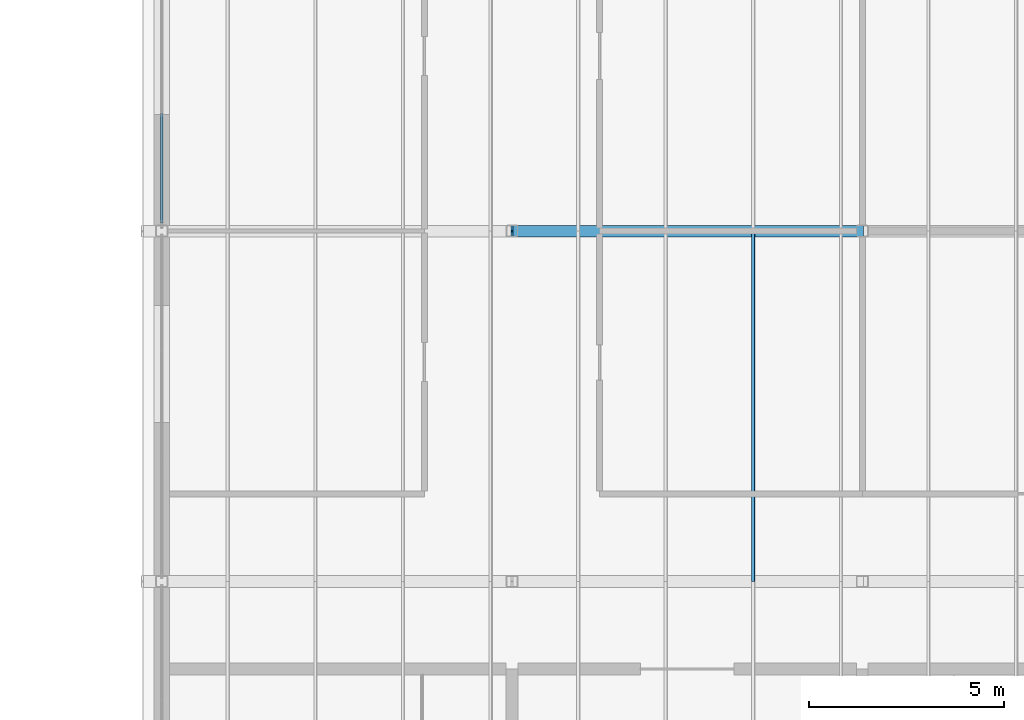
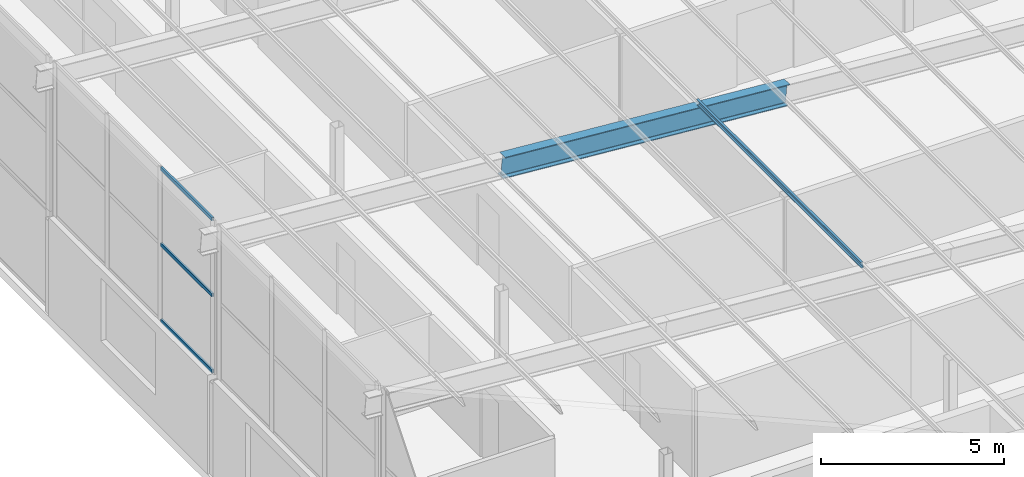
# One storey, part 28 of 85: 5 members, 1 element without a shape of its own.
"""IFC4 building model written with IfcOpenShell, lengths in metres."""

from ifc_helpers import new_model, si_unit, direction, frame, origin, origin_2d, place, context, subcontext, project, spatial, polyline, hollow_rectangle, i_section, outline, extrude, material, layer, layer_set, material_profile, profile_set, type_object, element, aggregate, save


model = new_model("IFC4")

# Units and contexts
model_context = context("Model", 3, precision=1e-05, world=origin(), true_north=direction((0.0, 1.0)))
body_context = subcontext(model_context, "Body", "Model", "MODEL_VIEW")
ifc_project = project(units=[si_unit("LENGTHUNIT", "METRE"), si_unit("AREAUNIT", "SQUARE_METRE"), si_unit("VOLUMEUNIT", "CUBIC_METRE"), si_unit("PLANEANGLEUNIT", "RADIAN"), si_unit("MASSUNIT", "GRAM", prefix="KILO")], contexts=[model_context])

# Site, building, storey
site_placement = place(None, origin())
site = spatial("IfcSite", under=ifc_project, at=site_placement, CompositionType="ELEMENT")
building_placement = place(site_placement, origin())
building = spatial("IfcBuilding", under=site, at=building_placement, Name="Opaline Strait Convention Centre", CompositionType="ELEMENT")
storey_placement = place(building_placement, frame((0.0, 0.0, 17.0)))
storey = spatial("IfcBuildingStorey", under=building, at=storey_placement, Name="L03", CompositionType="ELEMENT", Elevation=17.0)

# Curtain wall, members
ifc_material_1 = material(Name="Aluminium framed double glazing", Category="aluminium")
ifc_layer = layer(ifc_material_1, 0.199951171875)
ifc_layer_set = layer_set([ifc_layer], Name="Aluminium framed double glazing")
curtain_wall_type = type_object("IfcCurtainWallType", Name="Curtain wall 3000 module unitised", PredefinedType="NOTDEFINED", material=ifc_layer_set)
curtain_wall_placement = place(storey_placement, origin())
curtain_wall = element("IfcCurtainWall", 1, at=curtain_wall_placement, inside=storey, type_object=curtain_wall_type, Name="Clerestory curtain wall W L03 32/N", PredefinedType="NOTDEFINED")
ifc_material_2 = material(Name="Aluminium alloy 6063", Category="aluminium")
ifc_material_profile_1 = material_profile(ifc_material_2, hollow_rectangle(XDim=0.06005859375, YDim=0.1201171875, WallThickness=0.0029296875, at=origin_2d()), Name="TRANSOM 60x120x3")
ifc_profile_set_1 = profile_set([ifc_material_profile_1], Name="Aluminium alloy 6063")
member_type_1 = type_object("IfcMemberType", Name="Curtain wall transom 60 x 120", PredefinedType="USERDEFINED", material=ifc_profile_set_1)
member_1_placement = place(storey_placement, frame((279.0, 108.2099609375, 3.330078125), z_axis=(0.0, 1.0, 0.0), x_axis=(-1.0, 0.0, 0.0)))
member_1 = element("IfcMember", 2, at=member_1_placement, type_object=member_type_1, Name="MCWR1 transom 1.1", ObjectType="TRANSOM", PredefinedType="USERDEFINED", context=body_context, shape_type="SweptSolid", body=[
    extrude(hollow_rectangle(XDim=0.06005859375, YDim=0.1201171875, WallThickness=0.0029296875, at=origin_2d()), origin(), (0.0, 0.0, 1.0), 2.81005859375),
])
member_2_placement = place(storey_placement, frame((279.0, 108.2099609375, 5.872314453125), z_axis=(0.0, 1.0, 0.0), x_axis=(-1.0, 0.0, 0.0)))
member_2 = element("IfcMember", 3, at=member_2_placement, type_object=member_type_1, Name="MCWR1 transom 1.2", ObjectType="TRANSOM", PredefinedType="USERDEFINED", context=body_context, shape_type="SweptSolid", body=[
    extrude(hollow_rectangle(XDim=0.06005859375, YDim=0.1201171875, WallThickness=0.0029296875, at=origin_2d()), origin(), (0.0, 0.0, 1.0), 2.81005859375),
])
member_3_placement = place(storey_placement, frame((279.0, 108.2099609375, 8.414306640625), z_axis=(0.0, 1.0, 0.0), x_axis=(-1.0, 0.0, 0.0)))
member_3 = element("IfcMember", 4, at=member_3_placement, type_object=member_type_1, Name="MCWR1 transom 1.3", ObjectType="TRANSOM", PredefinedType="USERDEFINED", context=body_context, shape_type="SweptSolid", body=[
    extrude(hollow_rectangle(XDim=0.06005859375, YDim=0.1201171875, WallThickness=0.0029296875, at=origin_2d()), origin(), (0.0, 0.0, 1.0), 2.81005859375),
])
aggregate(curtain_wall, [member_1, member_2, member_3])

# Members
ifc_material_3 = material(Name="Steel Q355B", Category="steel")
ifc_material_profile_2 = material_profile(ifc_material_3, outline(polyline([(-0.034912109375, -0.10009765625), (0.034912109375, -0.10009765625), (0.034912109375, -0.080078125), (0.032470703125, -0.080078125), (0.032470703125, -0.097412109375), (-0.032470703125, -0.097412109375), (-0.032470703125, 0.097412109375), (0.032470703125, 0.097412109375), (0.032470703125, 0.080078125), (0.034912109375, 0.080078125), (0.034912109375, 0.10009765625), (-0.034912109375, 0.10009765625), (-0.034912109375, -0.10009765625)])), Name="C 200x70x20x2.5")
ifc_profile_set_2 = profile_set([ifc_material_profile_2], Name="Steel Q355B")
member_type_2 = type_object("IfcMemberType", Name="Roof purlin C 200x70x20x2.5", PredefinedType="PURLIN", material=ifc_profile_set_2)
member_4_placement = place(storey_placement, frame((294.199951171875, 99.0, 7.147705078125), z_axis=(0.0, 1.0, 0.0), x_axis=(-0.996917333733, 0.0, -0.078459095728)))
element("IfcMember", 5, at=member_4_placement, inside=storey, type_object=member_type_2, Name="MRP1 purlin W wing 142", PredefinedType="PURLIN", context=body_context, shape_type="SweptSolid", body=[
    extrude(outline(polyline([(-0.034912109375, -0.10009765625), (0.034912109375, -0.10009765625), (0.034912109375, -0.080078125), (0.032470703125, -0.080078125), (0.032470703125, -0.097412109375), (-0.032470703125, -0.097412109375), (-0.032470703125, 0.097412109375), (0.032470703125, 0.097412109375), (0.032470703125, 0.080078125), (0.034912109375, 0.080078125), (0.034912109375, 0.10009765625), (-0.034912109375, 0.10009765625), (-0.034912109375, -0.10009765625)])), origin(), (0.0, 0.0, 1.0), 9.0),
])
ifc_material_profile_3 = material_profile(ifc_material_3, i_section(OverallWidth=0.300048828125, OverallDepth=0.699951171875, WebThickness=0.012939453125, FlangeThickness=0.02392578125, FilletRadius=0.01806640625, at=origin_2d()), Name="HN 700x300x13x24")
ifc_profile_set_3 = profile_set([ifc_material_profile_3], Name="Steel Q355B")
member_type_3 = type_object("IfcMemberType", Name="Roof rafter HN 700x300x13x24", PredefinedType="RAFTER", material=ifc_profile_set_3)
member_5_placement = place(storey_placement, frame((288.0, 108.0, 7.184326171875), z_axis=(0.996917883079, 0.0, -0.078452115311), x_axis=(0.0, 1.0, 0.0)))
element("IfcMember", 6, at=member_5_placement, inside=storey, type_object=member_type_3, Name="MRR1 rafter y 108", PredefinedType="RAFTER", context=body_context, shape_type="SweptSolid", body=[
    extrude(i_section(OverallWidth=0.300048828125, OverallDepth=0.699951171875, WebThickness=0.012939453125, FlangeThickness=0.02392578125, FilletRadius=0.01806640625, at=origin_2d()), origin(), (0.0, 0.0, 1.0), 9.02783203125),
])

save(model, "model.ifc")
